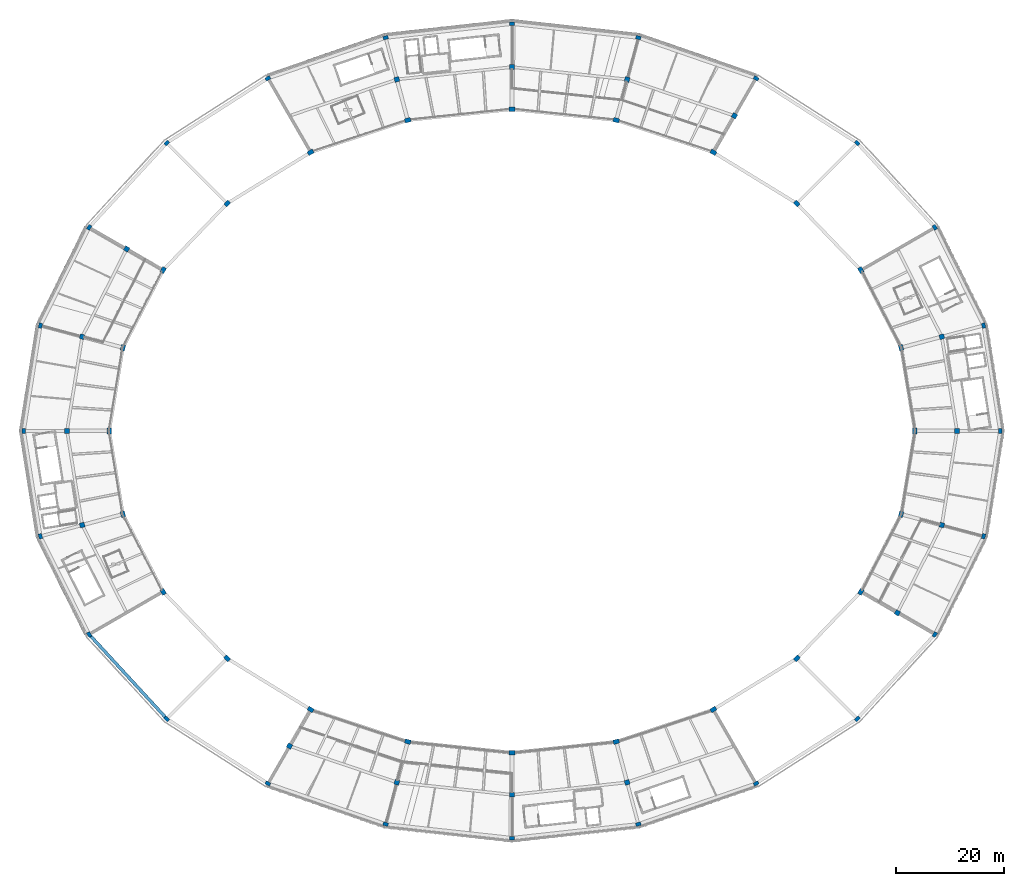
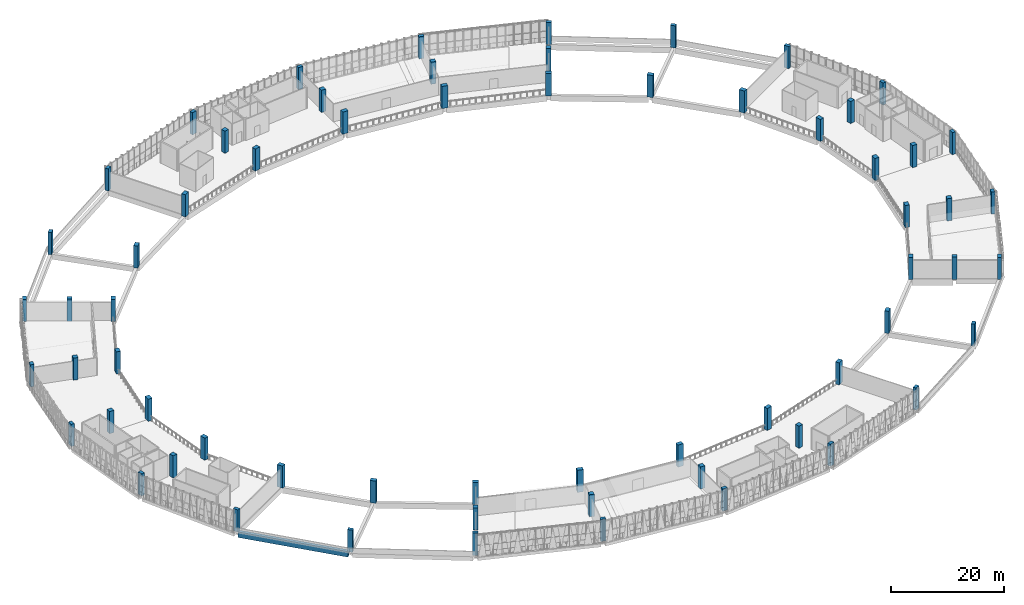
# One storey, part 1 of 64: 64 columns, 1 beam.
"""IFC4 building model written with IfcOpenShell, lengths in metres."""

from ifc_helpers import new_model, si_unit, direction, frame, origin, origin_2d, place, context, subcontext, project, spatial, rectangle, extrude, material, material_profile, profile_set, type_object, element, save


model = new_model("IFC4")

# Units and contexts
model_context = context("Model", 3, precision=1e-05, world=origin(), true_north=direction((0.0, 1.0)))
body_context = subcontext(model_context, "Body", "Model", "MODEL_VIEW")
ifc_project = project(units=[si_unit("LENGTHUNIT", "METRE"), si_unit("AREAUNIT", "SQUARE_METRE"), si_unit("VOLUMEUNIT", "CUBIC_METRE"), si_unit("PLANEANGLEUNIT", "RADIAN"), si_unit("MASSUNIT", "GRAM", prefix="KILO")], contexts=[model_context])

# Site, building, storey
site_placement = place(None, origin())
site = spatial("IfcSite", under=ifc_project, at=site_placement, CompositionType="ELEMENT")
building_placement = place(site_placement, origin())
building = spatial("IfcBuilding", under=site, at=building_placement, Name="Zevraka Park Crest Stadium", CompositionType="ELEMENT")
storey_placement = place(building_placement, frame((0.0, 0.0, 24.60009765625)))
storey = spatial("IfcBuildingStorey", under=building, at=storey_placement, Name="L05", CompositionType="ELEMENT", Elevation=24.60009765625)

# Columns
ifc_material_1 = material(Name="Concrete C40/50", Category="concrete")
ifc_material_profile_1 = material_profile(ifc_material_1, rectangle(XDim=0.800048828125, YDim=1.10009765625, at=origin_2d()), Name="RC 1100x800")
ifc_profile_set_1 = profile_set([ifc_material_profile_1], Name="Concrete C40/50")
column_type_1 = type_object("IfcColumnType", Name="C02", PredefinedType="COLUMN", material=ifc_profile_set_1)
for number, where, z_axis, x_axis, name in (
    (1, (186.5, 92.0, 0.0), (0.0, 0.0, 1.0), (1.0, 0.0, 0.0), "Bowl Main Column C02 L05-B-00"),
    (2, (183.9609375, 107.39990234375, 0.0), (0.0, 0.0, 1.0), (0.965925826289, 0.258819045103, 0.0), "Bowl Main Column C02 L05-B-01"),
    (3, (176.51904296875, 121.75, 0.0), (0.0, 0.0, 1.0), (0.866025403784, 0.5, 0.0), "Bowl Main Column C02 L05-B-02"),
    (4, (164.678955078125, 134.072998046875, 0.0), (0.0, 0.0, 1.0), (0.707106781187, 0.707106781187, 0.0), "Bowl Main Column C02 L05-B-03"),
    (5, (149.25, 143.529052734375, 0.0), (0.0, 0.0, 1.0), (0.5, 0.866025403784, 0.0), "Bowl Main Column C02 L05-B-04"),
    (6, (131.281982421875, 149.472900390625, 0.0), (0.0, 0.0, 1.0), (0.258819045103, 0.965925826289, 0.0), "Bowl Main Column C02 L05-B-05"),
    (7, (112.0, 151.5, 0.0), (0.0, 0.0, 1.0), (0.0, 1.0, 0.0), "Bowl Main Column C02 L05-B-06"),
    (8, (92.718017578125, 149.472900390625, 0.0), (0.0, 0.0, 1.0), (-0.258819045103, 0.965925826289, 0.0), "Bowl Main Column C02 L05-B-07"),
    (9, (74.75, 143.529052734375, 0.0), (0.0, 0.0, 1.0), (-0.5, 0.866025403784, 0.0), "Bowl Main Column C02 L05-B-08"),
    (10, (59.321044921875, 134.072998046875, 0.0), (0.0, 0.0, 1.0), (-0.707106781187, 0.707106781187, 0.0), "Bowl Main Column C02 L05-B-09"),
    (11, (47.48095703125, 121.75, 0.0), (0.0, 0.0, 1.0), (-0.866025403784, 0.5, 0.0), "Bowl Main Column C02 L05-B-10"),
    (12, (40.0390625, 107.39990234375, 0.0), (0.0, 0.0, 1.0), (-0.965925826289, 0.258819045103, 0.0), "Bowl Main Column C02 L05-B-11"),
    (13, (37.5, 92.0, 0.0), (0.0, 0.0, 1.0), (1.0, 0.0, 0.0), "Bowl Main Column C02 L05-B-12"),
    (14, (40.0390625, 76.60009765625, 0.0), (0.0, 0.0, 1.0), (0.965925826289, 0.258819045103, 0.0), "Bowl Main Column C02 L05-B-13"),
    (15, (47.48095703125, 62.25, 0.0), (0.0, 0.0, 1.0), (0.866025403784, 0.5, 0.0), "Bowl Main Column C02 L05-B-14"),
    (16, (59.321044921875, 49.927001953125, 0.0), (0.0, 0.0, 1.0), (0.707106781187, 0.707106781187, 0.0), "Bowl Main Column C02 L05-B-15"),
    (17, (74.75, 40.470947265625, 0.0), (0.0, 0.0, 1.0), (0.5, 0.866025403784, 0.0), "Bowl Main Column C02 L05-B-16"),
    (18, (92.718017578125, 34.527099609375, 0.0), (0.0, 0.0, 1.0), (0.258819045103, 0.965925826289, 0.0), "Bowl Main Column C02 L05-B-17"),
    (19, (112.0, 32.5, 0.0), (0.0, 0.0, 1.0), (0.0, 1.0, 0.0), "Bowl Main Column C02 L05-B-18"),
    (20, (131.281982421875, 34.527099609375, 0.0), (0.0, 0.0, 1.0), (-0.258819045103, 0.965925826289, 0.0), "Bowl Main Column C02 L05-B-19"),
    (21, (149.25, 40.470947265625, 0.0), (0.0, 0.0, 1.0), (-0.5, 0.866025403784, 0.0), "Bowl Main Column C02 L05-B-20"),
    (22, (164.678955078125, 49.927001953125, 0.0), (0.0, 0.0, 1.0), (-0.707106781187, 0.707106781187, 0.0), "Bowl Main Column C02 L05-B-21"),
    (23, (176.51904296875, 62.25, 0.0), (0.0, 0.0, 1.0), (-0.866025403784, 0.5, 0.0), "Bowl Main Column C02 L05-B-22"),
    (24, (183.9609375, 76.60009765625, 0.0), (0.0, 0.0, 1.0), (-0.965925826289, 0.258819045103, 0.0), "Bowl Main Column C02 L05-B-23"),
):
    element("IfcColumn", number, at=place(storey_placement, frame(where, z_axis=z_axis, x_axis=x_axis)), inside=storey, type_object=column_type_1, Name=name, PredefinedType="COLUMN", context=body_context, shape_type="SweptSolid", body=[
        extrude(rectangle(XDim=0.800048828125, YDim=1.10009765625, at=origin_2d()), origin(), (0.0, 0.0, 1.0), 4.7998046875),
    ])
ifc_material_2 = material(Name="Concrete C40/50", Category="concrete")
ifc_material_profile_2 = material_profile(ifc_material_2, rectangle(XDim=0.89990234375, YDim=0.89990234375, at=origin_2d()), Name="RC 900x900")
ifc_profile_set_2 = profile_set([ifc_material_profile_2], Name="Concrete C40/50")
column_type_2 = type_object("IfcColumnType", Name="C04", PredefinedType="COLUMN", material=ifc_profile_set_2)
for number, where, z_axis, x_axis, name in (
    (25, (194.300048828125, 92.0, 0.0), (0.0, 0.0, 1.0), (1.0, 0.0, 0.0), "Concourse Mid Column C04 L05-C-00"),
    (26, (191.49609375, 109.4189453125, 0.0), (0.0, 0.0, 1.0), (0.965925826289, 0.258819045103, 0.0), "Concourse Mid Column C04 L05-C-01"),
    (27, (153.14990234375, 150.283935546875, 0.0), (0.0, 0.0, 1.0), (0.5, 0.866025403784, 0.0), "Concourse Mid Column C04 L05-C-04"),
    (28, (133.301025390625, 157.007080078125, 0.0), (0.0, 0.0, 1.0), (0.258819045103, 0.965925826289, 0.0), "Concourse Mid Column C04 L05-C-05"),
    (29, (112.0, 159.300048828125, 0.0), (0.0, 0.0, 1.0), (0.0, 1.0, 0.0), "Concourse Mid Column C04 L05-C-06"),
    (30, (90.698974609375, 157.007080078125, 0.0), (0.0, 0.0, 1.0), (-0.258819045103, 0.965925826289, 0.0), "Concourse Mid Column C04 L05-C-07"),
    (31, (40.72607421875, 125.64990234375, 0.0), (0.0, 0.0, 1.0), (-0.866025403784, 0.5, 0.0), "Concourse Mid Column C04 L05-C-10"),
    (32, (32.50390625, 109.4189453125, 0.0), (0.0, 0.0, 1.0), (-0.965925826289, 0.258819045103, 0.0), "Concourse Mid Column C04 L05-C-11"),
    (33, (29.699951171875, 92.0, 0.0), (0.0, 0.0, 1.0), (1.0, 0.0, 0.0), "Concourse Mid Column C04 L05-C-12"),
    (34, (32.50390625, 74.5810546875, 0.0), (0.0, 0.0, 1.0), (0.965925826289, 0.258819045103, 0.0), "Concourse Mid Column C04 L05-C-13"),
    (35, (70.85009765625, 33.716064453125, 0.0), (0.0, 0.0, 1.0), (0.5, 0.866025403784, 0.0), "Concourse Mid Column C04 L05-C-16"),
    (36, (90.698974609375, 26.992919921875, 0.0), (0.0, 0.0, 1.0), (0.258819045103, 0.965925826289, 0.0), "Concourse Mid Column C04 L05-C-17"),
    (37, (112.0, 24.699951171875, 0.0), (0.0, 0.0, 1.0), (0.0, 1.0, 0.0), "Concourse Mid Column C04 L05-C-18"),
    (38, (133.301025390625, 26.992919921875, 0.0), (0.0, 0.0, 1.0), (-0.258819045103, 0.965925826289, 0.0), "Concourse Mid Column C04 L05-C-19"),
    (39, (183.27392578125, 58.35009765625, 0.0), (0.0, 0.0, 1.0), (-0.866025403784, 0.5, 0.0), "Concourse Mid Column C04 L05-C-22"),
    (40, (191.49609375, 74.5810546875, 0.0), (0.0, 0.0, 1.0), (-0.965925826289, 0.258819045103, 0.0), "Concourse Mid Column C04 L05-C-23"),
):
    element("IfcColumn", number, at=place(storey_placement, frame(where, z_axis=z_axis, x_axis=x_axis)), inside=storey, type_object=column_type_2, Name=name, PredefinedType="COLUMN", context=body_context, shape_type="SweptSolid", body=[
        extrude(rectangle(XDim=0.89990234375, YDim=0.89990234375, at=origin_2d()), origin(), (0.0, 0.0, 1.0), 4.7998046875),
    ])
ifc_material_3 = material(Name="Concrete C40/50", Category="concrete")
ifc_material_profile_3 = material_profile(ifc_material_3, rectangle(XDim=0.64990234375, YDim=0.949951171875, at=origin_2d()), Name="RC 950x650")
ifc_profile_set_3 = profile_set([ifc_material_profile_3], Name="Concrete C40/50")
column_type_3 = type_object("IfcColumnType", Name="C11", PredefinedType="COLUMN", material=ifc_profile_set_3)
for number, where, z_axis, x_axis, name in (
    (41, (202.300048828125, 92.0, 0.0), (0.0, 0.0, 1.0), (1.0, 0.0, 0.0), "Perimeter Ring Column C11 L05-D-00"),
    (42, (199.222900390625, 111.489013671875, 0.0), (0.0, 0.0, 1.0), (0.965925826289, 0.258819045103, 0.0), "Perimeter Ring Column C11 L05-D-01"),
    (43, (190.201904296875, 129.64990234375, 0.0), (0.0, 0.0, 1.0), (0.866025403784, 0.5, 0.0), "Perimeter Ring Column C11 L05-D-02"),
    (44, (175.85205078125, 145.2451171875, 0.0), (0.0, 0.0, 1.0), (0.707106781187, 0.707106781187, 0.0), "Perimeter Ring Column C11 L05-D-03"),
    (45, (157.14990234375, 157.2119140625, 0.0), (0.0, 0.0, 1.0), (0.5, 0.866025403784, 0.0), "Perimeter Ring Column C11 L05-D-04"),
    (46, (135.37109375, 164.73388671875, 0.0), (0.0, 0.0, 1.0), (0.258819045103, 0.965925826289, 0.0), "Perimeter Ring Column C11 L05-D-05"),
    (47, (112.0, 167.300048828125, 0.0), (0.0, 0.0, 1.0), (0.0, 1.0, 0.0), "Perimeter Ring Column C11 L05-D-06"),
    (48, (88.62890625, 164.73388671875, 0.0), (0.0, 0.0, 1.0), (-0.258819045103, 0.965925826289, 0.0), "Perimeter Ring Column C11 L05-D-07"),
    (49, (66.85009765625, 157.2119140625, 0.0), (0.0, 0.0, 1.0), (-0.5, 0.866025403784, 0.0), "Perimeter Ring Column C11 L05-D-08"),
    (50, (48.14794921875, 145.2451171875, 0.0), (0.0, 0.0, 1.0), (-0.707106781187, 0.707106781187, 0.0), "Perimeter Ring Column C11 L05-D-09"),
    (51, (33.798095703125, 129.64990234375, 0.0), (0.0, 0.0, 1.0), (-0.866025403784, 0.5, 0.0), "Perimeter Ring Column C11 L05-D-10"),
    (52, (24.777099609375, 111.489013671875, 0.0), (0.0, 0.0, 1.0), (-0.965925826289, 0.258819045103, 0.0), "Perimeter Ring Column C11 L05-D-11"),
    (53, (21.699951171875, 92.0, 0.0), (0.0, 0.0, 1.0), (1.0, 0.0, 0.0), "Perimeter Ring Column C11 L05-D-12"),
    (54, (24.777099609375, 72.510986328125, 0.0), (0.0, 0.0, 1.0), (0.965925826289, 0.258819045103, 0.0), "Perimeter Ring Column C11 L05-D-13"),
    (55, (33.798095703125, 54.35009765625, 0.0), (0.0, 0.0, 1.0), (0.866025403784, 0.5, 0.0), "Perimeter Ring Column C11 L05-D-14"),
    (56, (48.14794921875, 38.7548828125, 0.0), (0.0, 0.0, 1.0), (0.707106781187, 0.707106781187, 0.0), "Perimeter Ring Column C11 L05-D-15"),
    (57, (66.85009765625, 26.7880859375, 0.0), (0.0, 0.0, 1.0), (0.5, 0.866025403784, 0.0), "Perimeter Ring Column C11 L05-D-16"),
    (58, (88.62890625, 19.26611328125, 0.0), (0.0, 0.0, 1.0), (0.258819045103, 0.965925826289, 0.0), "Perimeter Ring Column C11 L05-D-17"),
    (59, (112.0, 16.699951171875, 0.0), (0.0, 0.0, 1.0), (0.0, 1.0, 0.0), "Perimeter Ring Column C11 L05-D-18"),
    (60, (135.37109375, 19.26611328125, 0.0), (0.0, 0.0, 1.0), (-0.258819045103, 0.965925826289, 0.0), "Perimeter Ring Column C11 L05-D-19"),
    (61, (157.14990234375, 26.7880859375, 0.0), (0.0, 0.0, 1.0), (-0.5, 0.866025403784, 0.0), "Perimeter Ring Column C11 L05-D-20"),
    (62, (175.85205078125, 38.7548828125, 0.0), (0.0, 0.0, 1.0), (-0.707106781187, 0.707106781187, 0.0), "Perimeter Ring Column C11 L05-D-21"),
    (63, (190.201904296875, 54.35009765625, 0.0), (0.0, 0.0, 1.0), (-0.866025403784, 0.5, 0.0), "Perimeter Ring Column C11 L05-D-22"),
    (64, (199.222900390625, 72.510986328125, 0.0), (0.0, 0.0, 1.0), (-0.965925826289, 0.258819045103, 0.0), "Perimeter Ring Column C11 L05-D-23"),
):
    element("IfcColumn", number, at=place(storey_placement, frame(where, z_axis=z_axis, x_axis=x_axis)), inside=storey, type_object=column_type_3, Name=name, PredefinedType="COLUMN", context=body_context, shape_type="SweptSolid", body=[
        extrude(rectangle(XDim=0.64990234375, YDim=0.949951171875, at=origin_2d()), origin(), (0.0, 0.0, 1.0), 4.7998046875),
    ])

# Beam
ifc_material_4 = material(Name="Concrete C40/50", Category="concrete")
ifc_material_profile_4 = material_profile(ifc_material_4, rectangle(XDim=0.60009765625, YDim=1.199951171875, at=origin_2d()), Name="RC 1200x600")
ifc_profile_set_4 = profile_set([ifc_material_profile_4], Name="Concrete C40/50")
beam_type = type_object("IfcBeamType", Name="RB01", PredefinedType="BEAM", material=ifc_profile_set_4)
beam_placement = place(storey_placement, frame((34.054931640625, 54.070068359375, -0.610107421875), z_axis=(0.677158252403, -0.735837414924, 0.0), x_axis=(0.735837414924, 0.677158252403, 0.0)))
element("IfcBeam", 65, at=beam_placement, inside=storey, type_object=beam_type, Name="Ring Beam RB01 L05-D-14", PredefinedType="BEAM", context=body_context, shape_type="SweptSolid", body=[
    extrude(rectangle(XDim=0.60009765625, YDim=1.199951171875, at=origin_2d()), origin(), (0.0, 0.0, 1.0), 20.4326171875),
])

save(model, "model.ifc")
